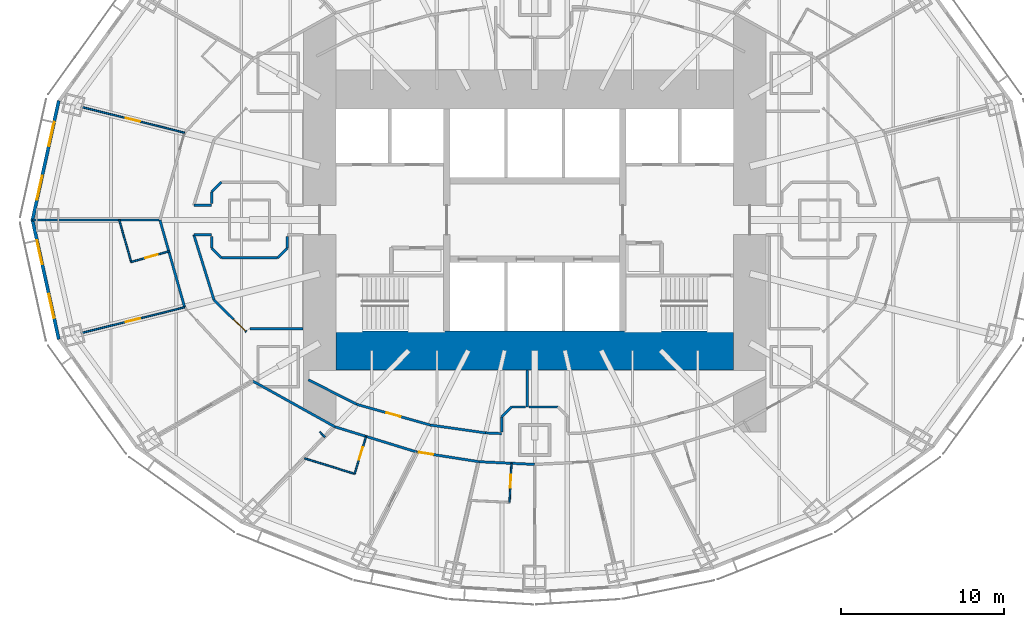
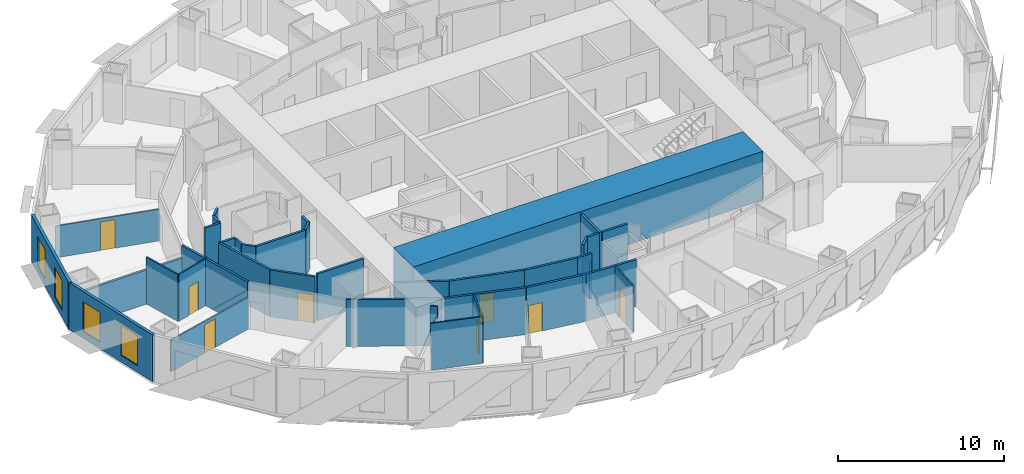
# One storey, part 5 of 15: 38 walls, 8 doors, 4 windows, 12 openings.
"""IFC4 building model written with IfcOpenShell, lengths in metres."""

from ifc_helpers import new_model, si_unit, direction, frame, frame_2d, origin, place, context, subcontext, project, spatial, rectangle, extrude, material, layer, layer_set, type_object, element, fill, save


model = new_model("IFC4")

# Units and contexts
model_context = context("Model", 3, precision=1e-05, world=origin(), true_north=direction((0.0, 1.0)))
body_context = subcontext(model_context, "Body", "Model", "MODEL_VIEW")
ifc_project = project(units=[si_unit("LENGTHUNIT", "METRE"), si_unit("AREAUNIT", "SQUARE_METRE"), si_unit("VOLUMEUNIT", "CUBIC_METRE"), si_unit("PLANEANGLEUNIT", "RADIAN"), si_unit("MASSUNIT", "GRAM", prefix="KILO")], contexts=[model_context])

# Site, building, storey
site_placement = place(None, origin())
site = spatial("IfcSite", under=ifc_project, at=site_placement, CompositionType="ELEMENT")
building_placement = place(site_placement, origin())
building = spatial("IfcBuilding", under=site, at=building_placement, Name="Lantaw Convention Tower", CompositionType="ELEMENT")
storey_placement = place(building_placement, frame((0.0, 0.0, 98.199951171875)))
storey = spatial("IfcBuildingStorey", under=building, at=storey_placement, Name="L23", CompositionType="ELEMENT", Elevation=98.199951171875)

# Walls
ifc_material_1 = material(Name="Gypsum board on steel studs", Category="steel")
ifc_layer_1 = layer(ifc_material_1, 0.14990234375)
ifc_layer_set_1 = layer_set([ifc_layer_1], Name="Back of house wall 150")
wall_type_1 = type_object("IfcWallType", Name="Back of house wall 150", PredefinedType="PARTITIONING", material=ifc_layer_set_1)
wall_1_placement = place(storey_placement, frame((-0.449951171875, -9.199951171875, 0.0), z_axis=(0.0, 0.0, 1.0), x_axis=(0.0, -1.0, 0.0)))
element("IfcWall", 1, at=wall_1_placement, inside=storey, type_object=wall_type_1, Name="Back of house wall 150", PredefinedType="PARTITIONING", context=body_context, shape_type="SweptSolid", body=[
    extrude(rectangle(XDim=2.26513671875, YDim=0.14990234375, at=frame_2d((1.132568359375, 0.0))), origin(), (0.0, 0.0, 1.0), 3.449951171875),
])
wall_2_placement = place(storey_placement, frame((-2.02490234375, -12.075439453125, 0.0), z_axis=(0.0, 0.0, 1.0), x_axis=(0.707106781187, 0.707106781187, 0.0)))
element("IfcWall", 2, at=wall_2_placement, inside=storey, type_object=wall_type_1, Name="Back of house wall 150", PredefinedType="PARTITIONING", context=body_context, shape_type="SweptSolid", body=[
    extrude(rectangle(XDim=0.84912109375, YDim=0.14990234375, at=frame_2d((0.424560546875, 0.0))), origin(), (0.0, 0.0, 1.0), 3.449951171875),
])
wall_3_placement = place(storey_placement, frame((-1.424560546875, -11.47509765625, 0.0), z_axis=(0.0, 0.0, 1.0), x_axis=(1.0, 0.0, 0.0)))
element("IfcWall", 3, at=wall_3_placement, inside=storey, type_object=wall_type_1, Name="Back of house wall 150", PredefinedType="PARTITIONING", context=body_context, shape_type="SweptSolid", body=[
    extrude(rectangle(XDim=0.871337890625, YDim=0.14990234375, at=frame_2d((0.435546875, 0.0))), origin(), (0.0, 0.0, 1.0), 3.449951171875),
])
wall_4_placement = place(storey_placement, frame((-0.3466796875, -11.47509765625, 0.0), z_axis=(0.0, 0.0, 1.0), x_axis=(1.0, 0.0, 0.0)))
element("IfcWall", 4, at=wall_4_placement, inside=storey, type_object=wall_type_1, Name="Back of house wall 150", PredefinedType="PARTITIONING", context=body_context, shape_type="SweptSolid", body=[
    extrude(rectangle(XDim=1.771240234375, YDim=0.14990234375, at=frame_2d((0.8857421875, 0.0))), origin(), (0.0, 0.0, 1.0), 3.449951171875),
])

# Wall, opening, door
ifc_material_2 = material(Name="Moisture resistant gypsum board on steel studs", Category="steel")
ifc_layer_2 = layer(ifc_material_2, 0.10009765625)
ifc_layer_set_2 = layer_set([ifc_layer_2], Name="Bathroom wall 100")
wall_type_2 = type_object("IfcWallType", Name="Bathroom wall 100", PredefinedType="PARTITIONING", material=ifc_layer_set_2)
wall_5_placement = place(storey_placement, frame((-22.455078125, -1.92431640625, 0.0), z_axis=(0.0, 0.0, 1.0), x_axis=(-0.962181399457, -0.272409534596, 0.0)))
wall_5 = element("IfcWall", 5, at=wall_5_placement, inside=storey, type_object=wall_type_2, Name="Bathroom wall 100", PredefinedType="PARTITIONING", context=body_context, shape_type="SweptSolid", body=[
    extrude(rectangle(XDim=2.400146484375, YDim=0.10009765625, at=frame_2d((1.2001953125, 0.0))), origin(), (0.0, 0.0, 1.0), 3.449951171875),
])
opening_1_placement = place(wall_5_placement, frame((0.699951171875, 0.0, 0.0)))
opening_1 = element("IfcOpeningElement", 6, at=opening_1_placement, cuts=wall_5, Name="Opening L23.43", PredefinedType="OPENING", context=body_context, shape_type="SweptSolid", body=[
    extrude(rectangle(XDim=0.800048828125, YDim=2.10009765625, at=frame_2d((0.39990234375, 1.050048828125))), frame((0.0, 0.06005859375, 0.0), z_axis=(0.0, -1.0, 0.0), x_axis=(1.0, 0.0, 0.0)), (0.0, 0.0, 1.0), 0.1201171875),
])
ifc_material_3 = material(Name="Timber", Category="wood")
door_type_1 = type_object("IfcDoorType", Name="Bathroom door 800", OperationType="SINGLE_SWING_LEFT", PredefinedType="DOOR", material=ifc_material_3)
door_1_placement = place(opening_1_placement, origin())
door_1 = element("IfcDoor", 7, at=door_1_placement, inside=storey, type_object=door_type_1, Name="Bathroom door", OperationType="SINGLE_SWING_LEFT", OverallHeight=2.10009765625, OverallWidth=0.800048828125, PredefinedType="DOOR", context=body_context, shape_type="SweptSolid", body=[
    extrude(rectangle(XDim=0.800048828125, YDim=2.10009765625, at=frame_2d((0.39990234375, 1.050048828125))), frame((0.0, 0.02490234375, 0.0), z_axis=(0.0, -1.0, 0.0), x_axis=(1.0, 0.0, 0.0)), (0.0, 0.0, 1.0), 0.050048828125),
])
fill(opening_1, door_1)

# Wall
wall_6_placement = place(storey_placement, frame((-24.764404296875, -2.578125, 0.0), z_axis=(0.0, 0.0, 1.0), x_axis=(-0.272433880153, 0.962174506493, 0.0)))
element("IfcWall", 8, at=wall_6_placement, inside=storey, type_object=wall_type_2, Name="Bathroom wall 100", PredefinedType="PARTITIONING", context=body_context, shape_type="SweptSolid", body=[
    extrude(rectangle(XDim=2.679443359375, YDim=0.10009765625, at=frame_2d((1.33984375, 0.0))), origin(), (0.0, 0.0, 1.0), 3.449951171875),
])

# Wall, opening, door
wall_7_placement = place(storey_placement, frame((-10.345703125, -13.281494140625, 0.0), z_axis=(0.0, 0.0, 1.0), x_axis=(-0.294478957423, -0.955657963727, 0.0)))
wall_7 = element("IfcWall", 9, at=wall_7_placement, inside=storey, type_object=wall_type_2, Name="Bathroom wall 100", PredefinedType="PARTITIONING", context=body_context, shape_type="SweptSolid", body=[
    extrude(rectangle(XDim=2.400146484375, YDim=0.10009765625, at=frame_2d((1.2001953125, 0.0))), origin(), (0.0, 0.0, 1.0), 3.449951171875),
])
opening_2_placement = place(wall_7_placement, frame((0.699951171875, 0.0, 0.0)))
opening_2 = element("IfcOpeningElement", 10, at=opening_2_placement, cuts=wall_7, Name="Opening L23.47", PredefinedType="OPENING", context=body_context, shape_type="SweptSolid", body=[
    extrude(rectangle(XDim=0.800048828125, YDim=2.10009765625, at=frame_2d((0.39990234375, 1.050048828125))), frame((0.0, 0.06005859375, 0.0), z_axis=(0.0, -1.0, 0.0), x_axis=(1.0, 0.0, 0.0)), (0.0, 0.0, 1.0), 0.1201171875),
])
door_2_placement = place(opening_2_placement, origin())
door_2 = element("IfcDoor", 11, at=door_2_placement, inside=storey, type_object=door_type_1, Name="Bathroom door", OperationType="SINGLE_SWING_LEFT", OverallHeight=2.10009765625, OverallWidth=0.800048828125, PredefinedType="DOOR", context=body_context, shape_type="SweptSolid", body=[
    extrude(rectangle(XDim=0.800048828125, YDim=2.10009765625, at=frame_2d((0.39990234375, 1.050048828125))), frame((0.0, 0.02490234375, 0.0), z_axis=(0.0, -1.0, 0.0), x_axis=(1.0, 0.0, 0.0)), (0.0, 0.0, 1.0), 0.050048828125),
])
fill(opening_2, door_2)

# Wall
wall_8_placement = place(storey_placement, frame((-11.052490234375, -15.5751953125, 0.0), z_axis=(0.0, 0.0, 1.0), x_axis=(-0.955641033268, 0.294533895391, 0.0)))
element("IfcWall", 12, at=wall_8_placement, inside=storey, type_object=wall_type_2, Name="Bathroom wall 100", PredefinedType="PARTITIONING", context=body_context, shape_type="SweptSolid", body=[
    extrude(rectangle(XDim=3.216064453125, YDim=0.10009765625, at=frame_2d((1.60791015625, 0.0))), origin(), (0.0, 0.0, 1.0), 3.449951171875),
])

# Wall, opening, door
wall_9_placement = place(storey_placement, frame((-1.4267578125, -14.930419921875, 0.0), z_axis=(0.0, 0.0, 1.0), x_axis=(-0.048831470304, -0.998807032168, 0.0)))
wall_9 = element("IfcWall", 13, at=wall_9_placement, inside=storey, type_object=wall_type_2, Name="Bathroom wall 100", PredefinedType="PARTITIONING", context=body_context, shape_type="SweptSolid", body=[
    extrude(rectangle(XDim=2.39990234375, YDim=0.10009765625, at=frame_2d((1.199951171875, 0.0))), origin(), (0.0, 0.0, 1.0), 3.449951171875),
])
opening_3_placement = place(wall_9_placement, frame((0.699951171875, 0.0, 0.0)))
opening_3 = element("IfcOpeningElement", 14, at=opening_3_placement, cuts=wall_9, Name="Opening L23.50", PredefinedType="OPENING", context=body_context, shape_type="SweptSolid", body=[
    extrude(rectangle(XDim=0.800048828125, YDim=2.10009765625, at=frame_2d((0.39990234375, 1.050048828125))), frame((0.0, 0.06005859375, 0.0), z_axis=(0.0, -1.0, 0.0), x_axis=(1.0, 0.0, 0.0)), (0.0, 0.0, 1.0), 0.1201171875),
])
door_3_placement = place(opening_3_placement, origin())
door_3 = element("IfcDoor", 15, at=door_3_placement, inside=storey, type_object=door_type_1, Name="Bathroom door", OperationType="SINGLE_SWING_LEFT", OverallHeight=2.10009765625, OverallWidth=0.800048828125, PredefinedType="DOOR", context=body_context, shape_type="SweptSolid", body=[
    extrude(rectangle(XDim=0.800048828125, YDim=2.10009765625, at=frame_2d((0.39990234375, 1.050048828125))), frame((0.0, 0.02490234375, 0.0), z_axis=(0.0, -1.0, 0.0), x_axis=(1.0, 0.0, 0.0)), (0.0, 0.0, 1.0), 0.050048828125),
])
fill(opening_3, door_3)

# Walls
ifc_material_4 = material(Name="Concrete C60/75", Category="concrete")
ifc_layer_3 = layer(ifc_material_4, 2.39990234375)
ifc_layer_set_3 = layer_set([ifc_layer_3], Name="Core wall 2400")
wall_type_3 = type_object("IfcWallType", Name="Core wall 2400", PredefinedType="SHEAR", material=ifc_layer_set_3)
wall_10_placement = place(storey_placement, frame((-12.199951171875, -8.0, 0.0), z_axis=(0.0, 0.0, 1.0), x_axis=(1.0, 0.0, 0.0)))
element("IfcWall", 16, at=wall_10_placement, inside=storey, type_object=wall_type_3, Name="Core wall S", PredefinedType="SHEAR", context=body_context, shape_type="SweptSolid", body=[
    extrude(rectangle(XDim=24.39990234375, YDim=2.39990234375, at=frame_2d((12.199951171875, 0.0))), origin(), (0.0, 0.0, 1.0), 3.60009765625),
])
ifc_material_5 = material(Name="Gypsum board on steel studs, fire rated", Category="steel")
ifc_layer_4 = layer(ifc_material_5, 0.14990234375)
ifc_layer_set_4 = layer_set([ifc_layer_4], Name="Corridor wall 150 EI 60")
wall_type_4 = type_object("IfcWallType", Name="Corridor wall 150 EI 60", PredefinedType="PARTITIONING", material=ifc_layer_set_4)
wall_11_placement = place(storey_placement, frame((-23.0, 0.0, 0.0), z_axis=(0.0, 0.0, 1.0), x_axis=(0.272386051236, -0.962188047677, 0.0)))
element("IfcWall", 17, at=wall_11_placement, inside=storey, type_object=wall_type_4, Name="Corridor wall 150", PredefinedType="PARTITIONING", context=body_context, shape_type="SweptSolid", body=[
    extrude(rectangle(XDim=5.56689453125, YDim=0.14990234375, at=frame_2d((2.783447265625, 0.0))), origin(), (0.0, 0.0, 1.0), 3.449951171875),
])
wall_12_placement = place(storey_placement, frame((-17.299072265625, -9.88525390625, 0.0), z_axis=(0.0, 0.0, 1.0), x_axis=(0.873695910579, -0.486472461541, 0.0)))
element("IfcWall", 18, at=wall_12_placement, inside=storey, type_object=wall_type_4, Name="Corridor wall 150", PredefinedType="PARTITIONING", context=body_context, shape_type="SweptSolid", body=[
    extrude(rectangle(XDim=5.77099609375, YDim=0.14990234375, at=frame_2d((2.885498046875, 0.0))), origin(), (0.0, 0.0, 1.0), 3.449951171875),
])
wall_13_placement = place(storey_placement, frame((-12.257080078125, -12.692626953125, 0.0), z_axis=(0.0, 0.0, 1.0), x_axis=(0.955657956744, -0.294478980085, 0.0)))
element("IfcWall", 19, at=wall_13_placement, inside=storey, type_object=wall_type_4, Name="Corridor wall 150", PredefinedType="PARTITIONING", context=body_context, shape_type="SweptSolid", body=[
    extrude(rectangle(XDim=5.236328125, YDim=0.14990234375, at=frame_2d((2.6181640625, 0.0))), origin(), (0.0, 0.0, 1.0), 3.449951171875),
])

# Wall, opening, door
wall_14_placement = place(storey_placement, frame((-7.2529296875, -14.234619140625, 0.0), z_axis=(0.0, 0.0, 1.0), x_axis=(0.988015036573, -0.154357660987, 0.0)))
wall_14 = element("IfcWall", 20, at=wall_14_placement, inside=storey, type_object=wall_type_4, Name="Corridor wall 150", PredefinedType="PARTITIONING", context=body_context, shape_type="SweptSolid", body=[
    extrude(rectangle(XDim=3.875, YDim=0.14990234375, at=frame_2d((1.9375, 0.0))), origin(), (0.0, 0.0, 1.0), 3.449951171875),
])
opening_4_placement = place(wall_14_placement, frame((0.14990234375, 0.0, 0.0)))
opening_4 = element("IfcOpeningElement", 21, at=opening_4_placement, cuts=wall_14, Name="Opening L23.49", PredefinedType="OPENING", context=body_context, shape_type="SweptSolid", body=[
    extrude(rectangle(XDim=0.89990234375, YDim=2.10009765625, at=frame_2d((0.449951171875, 1.050048828125))), frame((0.0, 0.0849609375, 0.0), z_axis=(0.0, -1.0, 0.0), x_axis=(1.0, 0.0, 0.0)), (0.0, 0.0, 1.0), 0.169921875),
])
ifc_material_6 = material(Name="Steel, fire rated", Category="steel")
door_type_2 = type_object("IfcDoorType", Name="Guest room entrance door FD30S", OperationType="SINGLE_SWING_LEFT", PredefinedType="DOOR", material=ifc_material_6)
door_4_placement = place(opening_4_placement, origin())
door_4 = element("IfcDoor", 22, at=door_4_placement, inside=storey, type_object=door_type_2, Name="Suite entrance door", OperationType="SINGLE_SWING_LEFT", OverallHeight=2.10009765625, OverallWidth=0.89990234375, PredefinedType="DOOR", context=body_context, shape_type="SweptSolid", body=[
    extrude(rectangle(XDim=0.89990234375, YDim=2.10009765625, at=frame_2d((0.449951171875, 1.050048828125))), frame((0.0, 0.02490234375, 0.0), z_axis=(0.0, -1.0, 0.0), x_axis=(1.0, 0.0, 0.0)), (0.0, 0.0, 1.0), 0.050048828125),
])
fill(opening_4, door_4)

# Walls
wall_15_placement = place(storey_placement, frame((-3.42431640625, -14.832763671875, 0.0), z_axis=(0.0, 0.0, 1.0), x_axis=(0.998809560203, -0.048779733975, 0.0)))
element("IfcWall", 23, at=wall_15_placement, inside=storey, type_object=wall_type_4, Name="Corridor wall 150", PredefinedType="PARTITIONING", context=body_context, shape_type="SweptSolid", body=[
    extrude(rectangle(XDim=3.428466796875, YDim=0.14990234375, at=frame_2d((1.71435546875, 0.0))), origin(), (0.0, 0.0, 1.0), 3.449951171875),
])
wall_16_placement = place(storey_placement, frame((-20.92138671875, -0.89990234375, 0.0), z_axis=(0.0, 0.0, 1.0), x_axis=(0.295778570807, -0.955256529447, 0.0)))
element("IfcWall", 24, at=wall_16_placement, inside=storey, type_object=wall_type_4, Name="Corridor wall 150", PredefinedType="PARTITIONING", context=body_context, shape_type="SweptSolid", body=[
    extrude(rectangle(XDim=4.19482421875, YDim=0.14990234375, at=frame_2d((2.097412109375, 0.0))), origin(), (0.0, 0.0, 1.0), 3.449951171875),
])

# Wall, opening, door
wall_17_placement = place(storey_placement, frame((-10.92431640625, -11.3125, 0.0), z_axis=(0.0, 0.0, 1.0), x_axis=(0.962643729928, -0.270771211967, 0.0)))
wall_17 = element("IfcWall", 25, at=wall_17_placement, inside=storey, type_object=wall_type_4, Name="Corridor wall 150", PredefinedType="PARTITIONING", context=body_context, shape_type="SweptSolid", body=[
    extrude(rectangle(XDim=4.6884765625, YDim=0.14990234375, at=frame_2d((2.34423828125, 0.0))), origin(), (0.0, 0.0, 1.0), 3.449951171875),
])
opening_5_placement = place(wall_17_placement, frame((1.894287109375, 0.0, 0.0)))
opening_5 = element("IfcOpeningElement", 26, at=opening_5_placement, cuts=wall_17, Name="Opening L23.22", PredefinedType="OPENING", context=body_context, shape_type="SweptSolid", body=[
    extrude(rectangle(XDim=0.89990234375, YDim=2.10009765625, at=frame_2d((0.449951171875, 1.050048828125))), frame((0.0, 0.0849609375, 0.0), z_axis=(0.0, -1.0, 0.0), x_axis=(1.0, 0.0, 0.0)), (0.0, 0.0, 1.0), 0.169921875),
])
door_type_3 = type_object("IfcDoorType", Name="Service door 900 FD30", OperationType="SINGLE_SWING_LEFT", PredefinedType="DOOR", material=ifc_material_6)
door_5_placement = place(opening_5_placement, origin())
door_5 = element("IfcDoor", 27, at=door_5_placement, inside=storey, type_object=door_type_3, Name="Staff locker room door", OperationType="SINGLE_SWING_LEFT", OverallHeight=2.10009765625, OverallWidth=0.89990234375, PredefinedType="DOOR", context=body_context, shape_type="SweptSolid", body=[
    extrude(rectangle(XDim=0.89990234375, YDim=2.10009765625, at=frame_2d((0.449951171875, 1.050048828125))), frame((0.0, 0.02490234375, 0.0), z_axis=(0.0, -1.0, 0.0), x_axis=(1.0, 0.0, 0.0)), (0.0, 0.0, 1.0), 0.050048828125),
])
fill(opening_5, door_5)

# Walls
wall_18_placement = place(storey_placement, frame((-6.410888671875, -12.58203125, 0.0), z_axis=(0.0, 0.0, 1.0), x_axis=(0.990002114939, -0.14105251652, 0.0)))
element("IfcWall", 28, at=wall_18_placement, inside=storey, type_object=wall_type_4, Name="Corridor wall 150", PredefinedType="PARTITIONING", context=body_context, shape_type="SweptSolid", body=[
    extrude(rectangle(XDim=3.4287109375, YDim=0.14990234375, at=frame_2d((1.71435546875, 0.0))), origin(), (0.0, 0.0, 1.0), 3.449951171875),
])
for number, where, z_axis, x_axis, name in (
    (29, (-19.8349609375, -0.89990234375, 0.0), (0.0, 0.0, 1.0), (-1.0, 0.0, 0.0), "Corridor wall 150"),
    (30, (-19.8349609375, 0.89990234375, 0.0), (0.0, 0.0, 1.0), (-1.0, 0.0, 0.0), "Corridor wall 150"),
):
    element("IfcWall", number, at=place(storey_placement, frame(where, z_axis=z_axis, x_axis=x_axis)), inside=storey, type_object=wall_type_4, Name=name, PredefinedType="PARTITIONING", context=body_context, shape_type="SweptSolid", body=[
        extrude(rectangle(XDim=1.08642578125, YDim=0.14990234375, at=frame_2d((0.543212890625, 0.0))), origin(), (0.0, 0.0, 1.0), 3.449951171875),
    ])
wall_19_placement = place(storey_placement, frame((-19.824951171875, 1.003173828125, 0.0), z_axis=(0.0, 0.0, 1.0), x_axis=(0.0, 1.0, 0.0)))
element("IfcWall", 31, at=wall_19_placement, inside=storey, type_object=wall_type_4, Name="Corridor wall 150", PredefinedType="PARTITIONING", context=body_context, shape_type="SweptSolid", body=[
    extrude(rectangle(XDim=0.721435546875, YDim=0.14990234375, at=frame_2d((0.36083984375, 0.0))), origin(), (0.0, 0.0, 1.0), 3.449951171875),
])
wall_20_placement = place(storey_placement, frame((-19.824951171875, 1.724609375, 0.0), z_axis=(0.0, 0.0, 1.0), x_axis=(0.707106781187, 0.707106781187, 0.0)))
element("IfcWall", 32, at=wall_20_placement, inside=storey, type_object=wall_type_4, Name="Corridor wall 150", PredefinedType="PARTITIONING", context=body_context, shape_type="SweptSolid", body=[
    extrude(rectangle(XDim=0.84912109375, YDim=0.14990234375, at=frame_2d((0.424560546875, 0.0))), origin(), (0.0, 0.0, 1.0), 3.449951171875),
])
for number, where, z_axis, x_axis, name in (
    (33, (-19.824951171875, -1.724609375, 0.0), (0.0, 0.0, 1.0), (0.0, 1.0, 0.0), "Corridor wall 150"),
    (34, (-15.175048828125, -1.003173828125, 0.0), (0.0, 0.0, 1.0), (0.0, -1.0, 0.0), "Corridor wall 150"),
):
    element("IfcWall", number, at=place(storey_placement, frame(where, z_axis=z_axis, x_axis=x_axis)), inside=storey, type_object=wall_type_4, Name=name, PredefinedType="PARTITIONING", context=body_context, shape_type="SweptSolid", body=[
        extrude(rectangle(XDim=0.721435546875, YDim=0.14990234375, at=frame_2d((0.36083984375, 0.0))), origin(), (0.0, 0.0, 1.0), 3.449951171875),
    ])
wall_21_placement = place(storey_placement, frame((-15.175048828125, -1.724609375, 0.0), z_axis=(0.0, 0.0, 1.0), x_axis=(-0.707106781187, -0.707106781187, 0.0)))
element("IfcWall", 35, at=wall_21_placement, inside=storey, type_object=wall_type_4, Name="Corridor wall 150", PredefinedType="PARTITIONING", context=body_context, shape_type="SweptSolid", body=[
    extrude(rectangle(XDim=0.84912109375, YDim=0.14990234375, at=frame_2d((0.424560546875, 0.0))), origin(), (0.0, 0.0, 1.0), 3.449951171875),
])
wall_22_placement = place(storey_placement, frame((-15.775390625, -2.324951171875, 0.0), z_axis=(0.0, 0.0, 1.0), x_axis=(-1.0, 0.0, 0.0)))
element("IfcWall", 36, at=wall_22_placement, inside=storey, type_object=wall_type_4, Name="Corridor wall 150", PredefinedType="PARTITIONING", context=body_context, shape_type="SweptSolid", body=[
    extrude(rectangle(XDim=3.44921875, YDim=0.14990234375, at=frame_2d((1.724609375, 0.0))), origin(), (0.0, 0.0, 1.0), 3.449951171875),
])
wall_23_placement = place(storey_placement, frame((-19.224609375, -2.324951171875, 0.0), z_axis=(0.0, 0.0, 1.0), x_axis=(-0.707106781187, 0.707106781187, 0.0)))
element("IfcWall", 37, at=wall_23_placement, inside=storey, type_object=wall_type_4, Name="Corridor wall 150", PredefinedType="PARTITIONING", context=body_context, shape_type="SweptSolid", body=[
    extrude(rectangle(XDim=0.84912109375, YDim=0.14990234375, at=frame_2d((0.424560546875, 0.0))), origin(), (0.0, 0.0, 1.0), 3.449951171875),
])

# Wall, opening, door
wall_24_placement = place(storey_placement, frame((-19.6806640625, -4.906982421875, 0.0), z_axis=(0.0, 0.0, 1.0), x_axis=(0.710845937688, -0.70334774676, 0.0)))
wall_24 = element("IfcWall", 38, at=wall_24_placement, inside=storey, type_object=wall_type_4, Name="Corridor wall 150", PredefinedType="PARTITIONING", context=body_context, shape_type="SweptSolid", body=[
    extrude(rectangle(XDim=2.800048828125, YDim=0.14990234375, at=frame_2d((1.39990234375, 0.0))), origin(), (0.0, 0.0, 1.0), 3.449951171875),
])
opening_6_placement = place(wall_24_placement, frame((1.699951171875, 0.0, 0.0)))
opening_6 = element("IfcOpeningElement", 39, at=opening_6_placement, cuts=wall_24, Name="Opening L23.23", PredefinedType="OPENING", context=body_context, shape_type="SweptSolid", body=[
    extrude(rectangle(XDim=1.0, YDim=2.10009765625, at=frame_2d((0.5, 1.050048828125))), frame((0.0, 0.0849609375, 0.0), z_axis=(0.0, -1.0, 0.0), x_axis=(1.0, 0.0, 0.0)), (0.0, 0.0, 1.0), 0.169921875),
])
door_type_4 = type_object("IfcDoorType", Name="Service door 1000 FD30", OperationType="SINGLE_SWING_LEFT", PredefinedType="DOOR", material=ifc_material_6)
door_6_placement = place(opening_6_placement, origin())
door_6 = element("IfcDoor", 40, at=door_6_placement, inside=storey, type_object=door_type_4, Name="Staff room door", OperationType="SINGLE_SWING_LEFT", OverallHeight=2.10009765625, OverallWidth=1.0, PredefinedType="DOOR", context=body_context, shape_type="SweptSolid", body=[
    extrude(rectangle(XDim=1.0, YDim=2.10009765625, at=frame_2d((0.5, 1.050048828125))), frame((0.0, 0.02490234375, 0.0), z_axis=(0.0, -1.0, 0.0), x_axis=(1.0, 0.0, 0.0)), (0.0, 0.0, 1.0), 0.050048828125),
])
fill(opening_6, door_6)

# Walls
wall_25_placement = place(storey_placement, frame((-13.889892578125, -9.8046875, 0.0), z_axis=(0.0, 0.0, 1.0), x_axis=(0.891398195277, -0.453220980821, 0.0)))
element("IfcWall", 41, at=wall_25_placement, inside=storey, type_object=wall_type_4, Name="Corridor wall 150", PredefinedType="PARTITIONING", context=body_context, shape_type="SweptSolid", body=[
    extrude(rectangle(XDim=3.326904296875, YDim=0.14990234375, at=frame_2d((1.66357421875, 0.0))), origin(), (0.0, 0.0, 1.0), 3.449951171875),
])
wall_26_placement = place(storey_placement, frame((-17.474609375, -6.675048828125, 0.0), z_axis=(0.0, 0.0, 1.0), x_axis=(1.0, 0.0, 0.0)))
element("IfcWall", 42, at=wall_26_placement, inside=storey, type_object=wall_type_4, Name="Corridor wall 150", PredefinedType="PARTITIONING", context=body_context, shape_type="SweptSolid", body=[
    extrude(rectangle(XDim=3.24462890625, YDim=0.14990234375, at=frame_2d((1.622314453125, 0.0))), origin(), (0.0, 0.0, 1.0), 3.449951171875),
])
wall_27_placement = place(storey_placement, frame((-3.016357421875, -13.065673828125, 0.0), z_axis=(0.0, 0.0, 1.0), x_axis=(0.999010128674, -0.044483286824, 0.0)))
element("IfcWall", 43, at=wall_27_placement, inside=storey, type_object=wall_type_4, Name="Corridor wall 150", PredefinedType="PARTITIONING", context=body_context, shape_type="SweptSolid", body=[
    extrude(rectangle(XDim=0.982421875, YDim=0.14990234375, at=frame_2d((0.4912109375, 0.0))), origin(), (0.0, 0.0, 1.0), 3.449951171875),
])
wall_28_placement = place(storey_placement, frame((-2.02490234375, -13.005126953125, 0.0), z_axis=(0.0, 0.0, 1.0), x_axis=(0.0, 1.0, 0.0)))
element("IfcWall", 44, at=wall_28_placement, inside=storey, type_object=wall_type_4, Name="Corridor wall 150", PredefinedType="PARTITIONING", context=body_context, shape_type="SweptSolid", body=[
    extrude(rectangle(XDim=0.9296875, YDim=0.14990234375, at=frame_2d((0.46484375, 0.0))), origin(), (0.0, 0.0, 1.0), 2.7490234375),
])

# Wall, openings, windows
ifc_material_7 = material(Name="Insulated aluminium panel on steel frame", Category="steel")
ifc_layer_5 = layer(ifc_material_7, 0.199951171875)
ifc_layer_set_5 = layer_set([ifc_layer_5], Name="External wall 200")
wall_type_5 = type_object("IfcWallType", Name="External wall 200", PredefinedType="SOLIDWALL", material=ifc_layer_set_5)
wall_29_placement = place(storey_placement, frame((-29.207763671875, 7.318115234375, 0.0), z_axis=(0.0, 0.0, 1.0), x_axis=(-0.215238065514, -0.976561608478, 0.0)))
wall_29 = element("IfcWall", 45, at=wall_29_placement, inside=storey, type_object=wall_type_5, Name="Facade panel wall", PredefinedType="SOLIDWALL", context=body_context, shape_type="SweptSolid", body=[
    extrude(rectangle(XDim=7.562255859375, YDim=0.199951171875, at=frame_2d((3.78125, 0.0))), origin(), (0.0, 0.0, 1.0), 3.449951171875),
])
opening_7_placement = place(wall_29_placement, frame((1.340576171875, 0.0, 0.5)))
opening_7 = element("IfcOpeningElement", 46, at=opening_7_placement, cuts=wall_29, Name="Opening W2", PredefinedType="OPENING", context=body_context, shape_type="SweptSolid", body=[
    extrude(rectangle(XDim=1.5, YDim=2.199951171875, at=frame_2d((0.75, 1.10009765625))), frame((0.0, 0.10986328125, 0.0), z_axis=(0.0, -1.0, 0.0), x_axis=(1.0, 0.0, 0.0)), (0.0, 0.0, 1.0), 0.219970703125),
])
opening_8_placement = place(wall_29_placement, frame((4.7216796875, 0.0, 0.5)))
opening_8 = element("IfcOpeningElement", 47, at=opening_8_placement, cuts=wall_29, Name="Opening W2", PredefinedType="OPENING", context=body_context, shape_type="SweptSolid", body=[
    extrude(rectangle(XDim=1.5, YDim=2.199951171875, at=frame_2d((0.75, 1.10009765625))), frame((0.0, 0.10986328125, 0.0), z_axis=(0.0, -1.0, 0.0), x_axis=(1.0, 0.0, 0.0)), (0.0, 0.0, 1.0), 0.219970703125),
])
ifc_material_8 = material(Name="Aluminium frame, clear insulating glass", Category="aluminium")
window_type = type_object("IfcWindowType", Name="Suite window 1500x2200", PartitioningType="SINGLE_PANEL", PredefinedType="WINDOW", material=ifc_material_8)
window_1_placement = place(opening_7_placement, origin())
window_1 = element("IfcWindow", 48, at=window_1_placement, inside=storey, type_object=window_type, Name="Guest room window", OverallHeight=2.199951171875, OverallWidth=1.5, PartitioningType="SINGLE_PANEL", PredefinedType="WINDOW", context=body_context, shape_type="SweptSolid", body=[
    extrude(rectangle(XDim=1.5, YDim=2.199951171875, at=frame_2d((0.75, 1.10009765625))), frame((0.0, 0.030029296875, 0.0), z_axis=(0.0, -1.0, 0.0), x_axis=(1.0, 0.0, 0.0)), (0.0, 0.0, 1.0), 0.06005859375),
])
fill(opening_7, window_1)
window_2_placement = place(opening_8_placement, origin())
window_2 = element("IfcWindow", 49, at=window_2_placement, inside=storey, type_object=window_type, Name="Guest room window", OverallHeight=2.199951171875, OverallWidth=1.5, PartitioningType="SINGLE_PANEL", PredefinedType="WINDOW", context=body_context, shape_type="SweptSolid", body=[
    extrude(rectangle(XDim=1.5, YDim=2.199951171875, at=frame_2d((0.75, 1.10009765625))), frame((0.0, 0.030029296875, 0.0), z_axis=(0.0, -1.0, 0.0), x_axis=(1.0, 0.0, 0.0)), (0.0, 0.0, 1.0), 0.06005859375),
])
fill(opening_8, window_2)

wall_30_placement = place(storey_placement, frame((-30.83544921875, 0.06689453125, 0.0), z_axis=(0.0, 0.0, 1.0), x_axis=(0.215238065514, -0.976561608478, 0.0)))
wall_30 = element("IfcWall", 50, at=wall_30_placement, inside=storey, type_object=wall_type_5, Name="Facade panel wall", PredefinedType="SOLIDWALL", context=body_context, shape_type="SweptSolid", body=[
    extrude(rectangle(XDim=7.562255859375, YDim=0.199951171875, at=frame_2d((3.78125, 0.0))), origin(), (0.0, 0.0, 1.0), 3.449951171875),
])
opening_9_placement = place(wall_30_placement, frame((1.340576171875, 0.0, 0.5)))
opening_9 = element("IfcOpeningElement", 51, at=opening_9_placement, cuts=wall_30, Name="Opening W2", PredefinedType="OPENING", context=body_context, shape_type="SweptSolid", body=[
    extrude(rectangle(XDim=1.5, YDim=2.199951171875, at=frame_2d((0.75, 1.10009765625))), frame((0.0, 0.10986328125, 0.0), z_axis=(0.0, -1.0, 0.0), x_axis=(1.0, 0.0, 0.0)), (0.0, 0.0, 1.0), 0.219970703125),
])
opening_10_placement = place(wall_30_placement, frame((4.7216796875, 0.0, 0.5)))
opening_10 = element("IfcOpeningElement", 52, at=opening_10_placement, cuts=wall_30, Name="Opening W2", PredefinedType="OPENING", context=body_context, shape_type="SweptSolid", body=[
    extrude(rectangle(XDim=1.5, YDim=2.199951171875, at=frame_2d((0.75, 1.10009765625))), frame((0.0, 0.10986328125, 0.0), z_axis=(0.0, -1.0, 0.0), x_axis=(1.0, 0.0, 0.0)), (0.0, 0.0, 1.0), 0.219970703125),
])
window_3_placement = place(opening_9_placement, origin())
window_3 = element("IfcWindow", 53, at=window_3_placement, inside=storey, type_object=window_type, Name="Guest room window", OverallHeight=2.199951171875, OverallWidth=1.5, PartitioningType="SINGLE_PANEL", PredefinedType="WINDOW", context=body_context, shape_type="SweptSolid", body=[
    extrude(rectangle(XDim=1.5, YDim=2.199951171875, at=frame_2d((0.75, 1.10009765625))), frame((0.0, 0.030029296875, 0.0), z_axis=(0.0, -1.0, 0.0), x_axis=(1.0, 0.0, 0.0)), (0.0, 0.0, 1.0), 0.06005859375),
])
fill(opening_9, window_3)
window_4_placement = place(opening_10_placement, origin())
window_4 = element("IfcWindow", 54, at=window_4_placement, inside=storey, type_object=window_type, Name="Guest room window", OverallHeight=2.199951171875, OverallWidth=1.5, PartitioningType="SINGLE_PANEL", PredefinedType="WINDOW", context=body_context, shape_type="SweptSolid", body=[
    extrude(rectangle(XDim=1.5, YDim=2.199951171875, at=frame_2d((0.75, 1.10009765625))), frame((0.0, 0.030029296875, 0.0), z_axis=(0.0, -1.0, 0.0), x_axis=(1.0, 0.0, 0.0)), (0.0, 0.0, 1.0), 0.06005859375),
])
fill(opening_10, window_4)

# Walls
ifc_material_9 = material(Name="Gypsum board on steel studs, acoustic", Category="steel")
ifc_layer_6 = layer(ifc_material_9, 0.14990234375)
ifc_layer_set_6 = layer_set([ifc_layer_6], Name="Guest room party wall 150")
wall_type_6 = type_object("IfcWallType", Name="Guest room party wall 150", PredefinedType="PARTITIONING", material=ifc_layer_set_6)
wall_31_placement = place(storey_placement, frame((-30.82080078125, 0.0, 0.0), z_axis=(0.0, 0.0, 1.0), x_axis=(1.0, 0.0, 0.0)))
element("IfcWall", 55, at=wall_31_placement, inside=storey, type_object=wall_type_6, Name="Guest room party wall 150", PredefinedType="PARTITIONING", context=body_context, shape_type="SweptSolid", body=[
    extrude(rectangle(XDim=7.82080078125, YDim=0.14990234375, at=frame_2d((3.910400390625, 0.0))), origin(), (0.0, 0.0, 1.0), 2.528076171875),
])
ifc_layer_7 = layer(ifc_material_9, 0.10009765625)
ifc_layer_set_7 = layer_set([ifc_layer_7], Name="Office partition 100")
wall_type_7 = type_object("IfcWallType", Name="Office partition 100", PredefinedType="PARTITIONING", material=ifc_layer_set_7)
wall_32_placement = place(storey_placement, frame((-13.199951171875, -13.0, 0.0), z_axis=(0.0, 0.0, 1.0), x_axis=(0.715289751842, -0.698827998087, 0.0)))
element("IfcWall", 56, at=wall_32_placement, inside=storey, type_object=wall_type_7, Name="Office partition 100", PredefinedType="PARTITIONING", context=body_context, shape_type="SweptSolid", body=[
    extrude(rectangle(XDim=0.459716796875, YDim=0.10009765625, at=frame_2d((0.22998046875, 0.0))), origin(), (0.0, 0.0, 1.0), 3.449951171875),
])

# Wall, opening, door
ifc_layer_8 = layer(ifc_material_1, 0.10009765625)
ifc_layer_set_8 = layer_set([ifc_layer_8], Name="Suite partition 100")
wall_type_8 = type_object("IfcWallType", Name="Suite partition 100", PredefinedType="PARTITIONING", material=ifc_layer_set_8)
wall_33_placement = place(storey_placement, frame((-27.832763671875, 6.939453125, 0.0), z_axis=(0.0, 0.0, 1.0), x_axis=(0.970295936837, -0.241921051083, 0.0)))
wall_33 = element("IfcWall", 57, at=wall_33_placement, inside=storey, type_object=wall_type_8, Name="Suite partition 100", PredefinedType="PARTITIONING", context=body_context, shape_type="SweptSolid", body=[
    extrude(rectangle(XDim=6.54345703125, YDim=0.10009765625, at=frame_2d((3.271728515625, 0.0))), origin(), (0.0, 0.0, 1.0), 2.33251953125),
])
opening_11_placement = place(wall_33_placement, frame((2.82177734375, 0.0, 0.0)))
opening_11 = element("IfcOpeningElement", 58, at=opening_11_placement, cuts=wall_33, Name="Opening L23.41", PredefinedType="OPENING", context=body_context, shape_type="SweptSolid", body=[
    extrude(rectangle(XDim=0.89990234375, YDim=2.10009765625, at=frame_2d((0.449951171875, 1.050048828125))), frame((0.0, 0.06005859375, 0.0), z_axis=(0.0, -1.0, 0.0), x_axis=(1.0, 0.0, 0.0)), (0.0, 0.0, 1.0), 0.1201171875),
])
door_type_5 = type_object("IfcDoorType", Name="Suite door 900", OperationType="SINGLE_SWING_LEFT", PredefinedType="DOOR", material=ifc_material_3)
door_7_placement = place(opening_11_placement, origin())
door_7 = element("IfcDoor", 59, at=door_7_placement, inside=storey, type_object=door_type_5, Name="Bedroom door", OperationType="SINGLE_SWING_LEFT", OverallHeight=2.10009765625, OverallWidth=0.89990234375, PredefinedType="DOOR", context=body_context, shape_type="SweptSolid", body=[
    extrude(rectangle(XDim=0.89990234375, YDim=2.10009765625, at=frame_2d((0.449951171875, 1.050048828125))), frame((0.0, 0.02490234375, 0.0), z_axis=(0.0, -1.0, 0.0), x_axis=(1.0, 0.0, 0.0)), (0.0, 0.0, 1.0), 0.050048828125),
])
fill(opening_11, door_7)

wall_34_placement = place(storey_placement, frame((-27.832763671875, -6.939453125, 0.0), z_axis=(0.0, 0.0, 1.0), x_axis=(0.970295936837, 0.241921051083, 0.0)))
wall_34 = element("IfcWall", 60, at=wall_34_placement, inside=storey, type_object=wall_type_8, Name="Suite partition 100", PredefinedType="PARTITIONING", context=body_context, shape_type="SweptSolid", body=[
    extrude(rectangle(XDim=6.54345703125, YDim=0.10009765625, at=frame_2d((3.271728515625, 0.0))), origin(), (0.0, 0.0, 1.0), 2.33251953125),
])
opening_12_placement = place(wall_34_placement, frame((2.82177734375, 0.0, 0.0)))
opening_12 = element("IfcOpeningElement", 61, at=opening_12_placement, cuts=wall_34, Name="Opening L23.44", PredefinedType="OPENING", context=body_context, shape_type="SweptSolid", body=[
    extrude(rectangle(XDim=0.89990234375, YDim=2.10009765625, at=frame_2d((0.449951171875, 1.050048828125))), frame((0.0, 0.06005859375, 0.0), z_axis=(0.0, -1.0, 0.0), x_axis=(1.0, 0.0, 0.0)), (0.0, 0.0, 1.0), 0.1201171875),
])
door_8_placement = place(opening_12_placement, origin())
door_8 = element("IfcDoor", 62, at=door_8_placement, inside=storey, type_object=door_type_5, Name="Bedroom door", OperationType="SINGLE_SWING_LEFT", OverallHeight=2.10009765625, OverallWidth=0.89990234375, PredefinedType="DOOR", context=body_context, shape_type="SweptSolid", body=[
    extrude(rectangle(XDim=0.89990234375, YDim=2.10009765625, at=frame_2d((0.449951171875, 1.050048828125))), frame((0.0, 0.02490234375, 0.0), z_axis=(0.0, -1.0, 0.0), x_axis=(1.0, 0.0, 0.0)), (0.0, 0.0, 1.0), 0.050048828125),
])
fill(opening_12, door_8)

save(model, "model.ifc")
